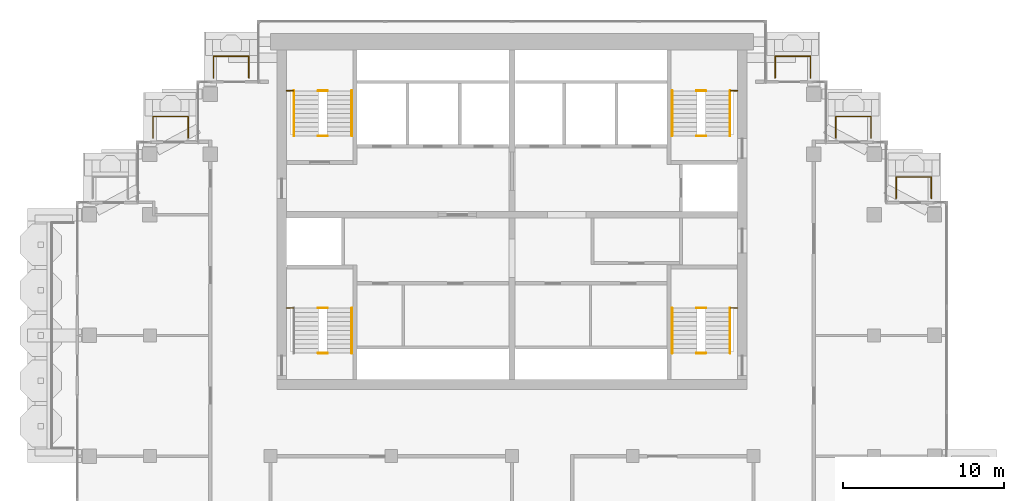
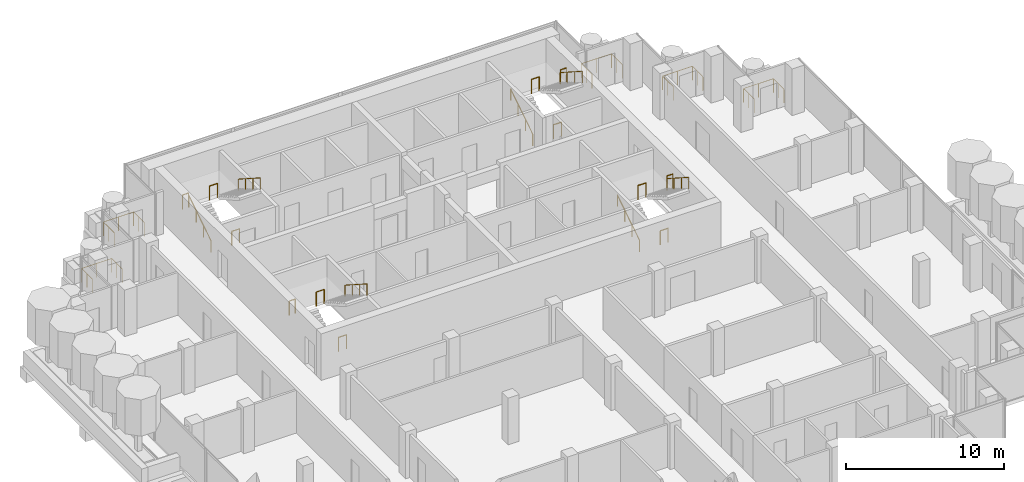
# One storey, part 17 of 18: 24 railings.
"""IFC4 building model written with IfcOpenShell, lengths in metres."""

from ifc_helpers import new_model, si_unit, direction, frame, origin, origin_2d, place, context, subcontext, project, spatial, circle, extrude, material, type_object, element, save


model = new_model("IFC4")

# Units and contexts
model_context = context("Model", 3, precision=1e-05, world=origin(), true_north=direction((0.0, 1.0)))
body_context = subcontext(model_context, "Body", "Model", "MODEL_VIEW")
ifc_project = project(units=[si_unit("LENGTHUNIT", "METRE"), si_unit("AREAUNIT", "SQUARE_METRE"), si_unit("VOLUMEUNIT", "CUBIC_METRE"), si_unit("PLANEANGLEUNIT", "RADIAN"), si_unit("MASSUNIT", "GRAM", prefix="KILO")], contexts=[model_context])

# Site, building, storey
site_placement = place(None, origin())
site = spatial("IfcSite", under=ifc_project, at=site_placement, CompositionType="ELEMENT")
building_placement = place(site_placement, origin())
building = spatial("IfcBuilding", under=site, at=building_placement, Name="Pilkhan Gate Tower", CompositionType="ELEMENT")
storey_placement = place(building_placement, frame((0.0, 0.0, 228.300048828125)))
storey = spatial("IfcBuildingStorey", under=building, at=storey_placement, Name="L59", CompositionType="ELEMENT", Elevation=228.300048828125)

# Railings
ifc_material_1 = material(Name="Pale anodised aluminium posts, laminated glass infill", Category="aluminium")
railing_type_1 = type_object("IfcRailingType", Name="Balcony guard G1", PredefinedType="BALUSTRADE", material=ifc_material_1)
for number, where, name in (
    (1, (56.449951171875, 91.0, 0.0), "Balcony guard L59 N"),
    (2, (91.35009765625, 91.0, 0.0), "Balcony guard L59 N"),
):
    element("IfcRailing", number, at=place(storey_placement, frame(where)), inside=storey, type_object=railing_type_1, Name=name, PredefinedType="BALUSTRADE", context=body_context, shape_type="SweptSolid", body=[
        extrude(circle(Radius=0.02392578125, at=origin_2d()), frame((0.0, 0.0, 1.076171875), z_axis=(0.0, 1.0, 0.0), x_axis=(-1.0, 0.0, 0.0)), (0.0, 0.0, 1.0), 1.35009765625),
        extrude(circle(Radius=0.02392578125, at=origin_2d()), frame((0.0, 1.35009765625, 1.076171875), z_axis=(1.0, 0.0, 0.0), x_axis=(0.0, 1.0, 0.0)), (0.0, 0.0, 1.0), 2.199951171875),
        extrude(circle(Radius=0.02392578125, at=origin_2d()), frame((2.199951171875, 1.35009765625, 1.076171875), z_axis=(0.0, -1.0, 0.0), x_axis=(1.0, 0.0, 0.0)), (0.0, 0.0, 1.0), 1.35009765625),
        extrude(circle(Radius=0.02099609375, at=origin_2d()), origin(), (0.0, 0.0, 1.0), 1.052001953125),
        extrude(circle(Radius=0.02099609375, at=origin_2d()), frame((0.0, 0.675048828125, 0.0)), (0.0, 0.0, 1.0), 1.052001953125),
        extrude(circle(Radius=0.02099609375, at=origin_2d()), frame((0.0, 1.35009765625, 0.0)), (0.0, 0.0, 1.0), 1.052001953125),
        extrude(circle(Radius=0.02099609375, at=origin_2d()), frame((1.10009765625, 1.35009765625, 0.0)), (0.0, 0.0, 1.0), 1.052001953125),
        extrude(circle(Radius=0.02099609375, at=origin_2d()), frame((2.199951171875, 1.35009765625, 0.0)), (0.0, 0.0, 1.0), 1.052001953125),
        extrude(circle(Radius=0.02099609375, at=origin_2d()), frame((2.199951171875, 0.675048828125, 0.0)), (0.0, 0.0, 1.0), 1.052001953125),
        extrude(circle(Radius=0.02099609375, at=origin_2d()), frame((2.199951171875, 0.0, 0.0)), (0.0, 0.0, 1.0), 1.052001953125),
    ])
for number, where, name in (
    (3, (52.699951171875, 87.27001953125, 0.0), "Balcony guard L59 N"),
    (4, (95.1201171875, 87.27001953125, 0.0), "Balcony guard L59 N"),
    (5, (98.8701171875, 83.52001953125, 0.0), "Balcony guard L59 N"),
):
    element("IfcRailing", number, at=place(storey_placement, frame(where)), inside=storey, type_object=railing_type_1, Name=name, PredefinedType="BALUSTRADE", context=body_context, shape_type="SweptSolid", body=[
        extrude(circle(Radius=0.02392578125, at=origin_2d()), frame((0.0, 0.0, 1.076171875), z_axis=(0.0, 1.0, 0.0), x_axis=(-1.0, 0.0, 0.0)), (0.0, 0.0, 1.0), 1.330078125),
        extrude(circle(Radius=0.02392578125, at=origin_2d()), frame((0.0, 1.330078125, 1.076171875), z_axis=(1.0, 0.0, 0.0), x_axis=(0.0, 1.0, 0.0)), (0.0, 0.0, 1.0), 2.179931640625),
        extrude(circle(Radius=0.02392578125, at=origin_2d()), frame((2.179931640625, 1.330078125, 1.076171875), z_axis=(0.0, -1.0, 0.0), x_axis=(1.0, 0.0, 0.0)), (0.0, 0.0, 1.0), 1.330078125),
        extrude(circle(Radius=0.02099609375, at=origin_2d()), origin(), (0.0, 0.0, 1.0), 1.052001953125),
        extrude(circle(Radius=0.02099609375, at=origin_2d()), frame((0.0, 0.6650390625, 0.0)), (0.0, 0.0, 1.0), 1.052001953125),
        extrude(circle(Radius=0.02099609375, at=origin_2d()), frame((0.0, 1.330078125, 0.0)), (0.0, 0.0, 1.0), 1.052001953125),
        extrude(circle(Radius=0.02099609375, at=origin_2d()), frame((1.08984375, 1.330078125, 0.0)), (0.0, 0.0, 1.0), 1.052001953125),
        extrude(circle(Radius=0.02099609375, at=origin_2d()), frame((2.179931640625, 1.330078125, 0.0)), (0.0, 0.0, 1.0), 1.052001953125),
        extrude(circle(Radius=0.02099609375, at=origin_2d()), frame((2.179931640625, 0.6650390625, 0.0)), (0.0, 0.0, 1.0), 1.052001953125),
        extrude(circle(Radius=0.02099609375, at=origin_2d()), frame((2.179931640625, 0.0, 0.0)), (0.0, 0.0, 1.0), 1.052001953125),
    ])
ifc_material_2 = material(Name="Black powder-coated steel tube", Category="steel")
railing_type_2 = type_object("IfcRailingType", Name="Stair handrail HR1", PredefinedType="HANDRAIL", material=ifc_material_2)
railing_1_placement = place(storey_placement, frame((84.949951171875, 73.89990234375, 0.0)))
element("IfcRailing", 6, at=railing_1_placement, inside=storey, type_object=railing_type_2, Name="Stair ST1 handrail L59", PredefinedType="HANDRAIL", context=body_context, shape_type="SweptSolid", body=[
    extrude(circle(Radius=0.02392578125, at=origin_2d()), frame((0.0, 0.0, 0.8759765625), z_axis=(0.0, 0.841176092368, 0.540761298198), x_axis=(-1.0, 0.0, 0.0)), (0.0, 0.0, 1.0), 3.32861328125),
    extrude(circle(Radius=0.02099609375, at=origin_2d()), origin(), (0.0, 0.0, 1.0), 0.851806640625),
    extrude(circle(Radius=0.02099609375, at=origin_2d()), frame((0.0, 0.933349609375, 0.60009765625)), (0.0, 0.0, 1.0), 0.851806640625),
    extrude(circle(Radius=0.02099609375, at=origin_2d()), frame((0.0, 1.86669921875, 1.199951171875)), (0.0, 0.0, 1.0), 0.851806640625),
    extrude(circle(Radius=0.02099609375, at=origin_2d()), frame((0.0, 2.800048828125, 1.800048828125)), (0.0, 0.0, 1.0), 0.851806640625),
])
for number, where, name in (
    (7, (88.550048828125, 76.699951171875, 1.800048828125), "Stair ST1 handrail L59"),
    (8, (65.050048828125, 76.699951171875, 1.800048828125), "Stair ST2 handrail L59"),
):
    element("IfcRailing", number, at=place(storey_placement, frame(where)), inside=storey, type_object=railing_type_2, Name=name, PredefinedType="HANDRAIL", context=body_context, shape_type="SweptSolid", body=[
        extrude(circle(Radius=0.02392578125, at=origin_2d()), frame((0.0, 0.0, 0.8759765625), z_axis=(0.0, -0.841209454229, 0.540709398952), x_axis=(1.0, 0.0, 0.0)), (0.0, 0.0, 1.0), 3.32861328125),
        extrude(circle(Radius=0.02099609375, at=origin_2d()), origin(), (0.0, 0.0, 1.0), 0.851806640625),
        extrude(circle(Radius=0.02099609375, at=origin_2d()), frame((0.0, -0.933349609375, 0.599853515625)), (0.0, 0.0, 1.0), 0.851806640625),
        extrude(circle(Radius=0.02099609375, at=origin_2d()), frame((0.0, -1.86669921875, 1.199951171875)), (0.0, 0.0, 1.0), 0.851806640625),
        extrude(circle(Radius=0.02099609375, at=origin_2d()), frame((0.0, -2.800048828125, 1.7998046875)), (0.0, 0.0, 1.0), 0.851806640625),
    ])
railing_2_placement = place(storey_placement, frame((61.449951171875, 87.39990234375, 0.0)))
element("IfcRailing", 9, at=railing_2_placement, inside=storey, type_object=railing_type_2, Name="Stair ST3 handrail L59", PredefinedType="HANDRAIL", context=body_context, shape_type="SweptSolid", body=[
    extrude(circle(Radius=0.02392578125, at=origin_2d()), frame((0.0, 0.0, 0.8759765625), z_axis=(0.0, 0.841176092368, 0.540761298198), x_axis=(-1.0, 0.0, 0.0)), (0.0, 0.0, 1.0), 3.32861328125),
    extrude(circle(Radius=0.02099609375, at=origin_2d()), origin(), (0.0, 0.0, 1.0), 0.851806640625),
    extrude(circle(Radius=0.02099609375, at=origin_2d()), frame((0.0, 0.933349609375, 0.60009765625)), (0.0, 0.0, 1.0), 0.851806640625),
    extrude(circle(Radius=0.02099609375, at=origin_2d()), frame((0.0, 1.86669921875, 1.199951171875)), (0.0, 0.0, 1.0), 0.851806640625),
    extrude(circle(Radius=0.02099609375, at=origin_2d()), frame((0.0, 2.800048828125, 1.800048828125)), (0.0, 0.0, 1.0), 0.851806640625),
])
railing_3_placement = place(storey_placement, frame((65.050048828125, 90.199951171875, 1.800048828125)))
element("IfcRailing", 10, at=railing_3_placement, inside=storey, type_object=railing_type_2, Name="Stair ST3 handrail L59", PredefinedType="HANDRAIL", context=body_context, shape_type="SweptSolid", body=[
    extrude(circle(Radius=0.02392578125, at=origin_2d()), frame((0.0, 0.0, 0.8759765625), z_axis=(0.0, -0.841209454229, 0.540709398952), x_axis=(1.0, 0.0, 0.0)), (0.0, 0.0, 1.0), 3.32861328125),
    extrude(circle(Radius=0.02099609375, at=origin_2d()), origin(), (0.0, 0.0, 1.0), 0.851806640625),
    extrude(circle(Radius=0.02099609375, at=origin_2d()), frame((0.0, -0.933349609375, 0.599853515625)), (0.0, 0.0, 1.0), 0.851806640625),
    extrude(circle(Radius=0.02099609375, at=origin_2d()), frame((0.0, -1.86669921875, 1.199951171875)), (0.0, 0.0, 1.0), 0.851806640625),
    extrude(circle(Radius=0.02099609375, at=origin_2d()), frame((0.0, -2.800048828125, 1.7998046875)), (0.0, 0.0, 1.0), 0.851806640625),
])
railing_4_placement = place(storey_placement, frame((84.949951171875, 87.39990234375, 0.0)))
element("IfcRailing", 11, at=railing_4_placement, inside=storey, type_object=railing_type_2, Name="Stair ST4 handrail L59", PredefinedType="HANDRAIL", context=body_context, shape_type="SweptSolid", body=[
    extrude(circle(Radius=0.02392578125, at=origin_2d()), frame((0.0, 0.0, 0.8759765625), z_axis=(0.0, 0.841176092368, 0.540761298198), x_axis=(-1.0, 0.0, 0.0)), (0.0, 0.0, 1.0), 3.32861328125),
    extrude(circle(Radius=0.02099609375, at=origin_2d()), origin(), (0.0, 0.0, 1.0), 0.851806640625),
    extrude(circle(Radius=0.02099609375, at=origin_2d()), frame((0.0, 0.933349609375, 0.60009765625)), (0.0, 0.0, 1.0), 0.851806640625),
    extrude(circle(Radius=0.02099609375, at=origin_2d()), frame((0.0, 1.86669921875, 1.199951171875)), (0.0, 0.0, 1.0), 0.851806640625),
    extrude(circle(Radius=0.02099609375, at=origin_2d()), frame((0.0, 2.800048828125, 1.800048828125)), (0.0, 0.0, 1.0), 0.851806640625),
])
railing_5_placement = place(storey_placement, frame((88.550048828125, 90.199951171875, 1.800048828125)))
element("IfcRailing", 12, at=railing_5_placement, inside=storey, type_object=railing_type_2, Name="Stair ST4 handrail L59", PredefinedType="HANDRAIL", context=body_context, shape_type="SweptSolid", body=[
    extrude(circle(Radius=0.02392578125, at=origin_2d()), frame((0.0, 0.0, 0.8759765625), z_axis=(0.0, -0.841209454229, 0.540709398952), x_axis=(1.0, 0.0, 0.0)), (0.0, 0.0, 1.0), 3.32861328125),
    extrude(circle(Radius=0.02099609375, at=origin_2d()), origin(), (0.0, 0.0, 1.0), 0.851806640625),
    extrude(circle(Radius=0.02099609375, at=origin_2d()), frame((0.0, -0.933349609375, 0.599853515625)), (0.0, 0.0, 1.0), 0.851806640625),
    extrude(circle(Radius=0.02099609375, at=origin_2d()), frame((0.0, -1.86669921875, 1.199951171875)), (0.0, 0.0, 1.0), 0.851806640625),
    extrude(circle(Radius=0.02099609375, at=origin_2d()), frame((0.0, -2.800048828125, 1.7998046875)), (0.0, 0.0, 1.0), 0.851806640625),
])
ifc_material_3 = material(Name="Black powder-coated steel balusters", Category="steel")
railing_type_3 = type_object("IfcRailingType", Name="Stair well guard G3", PredefinedType="GUARDRAIL", material=ifc_material_3)
railing_6_placement = place(storey_placement, frame((88.580078125, 76.699951171875, 1.800048828125)))
element("IfcRailing", 13, at=railing_6_placement, inside=storey, type_object=railing_type_3, Name="Stair ST1 well guard L59", PredefinedType="GUARDRAIL", context=body_context, shape_type="SweptSolid", body=[
    extrude(circle(Radius=0.02392578125, at=origin_2d()), frame((0.0, 0.0, 1.076171875), z_axis=(1.0, 0.0, 0.0), x_axis=(0.0, 1.0, 0.0)), (0.0, 0.0, 1.0), 0.43994140625),
    extrude(circle(Radius=0.02099609375, at=origin_2d()), origin(), (0.0, 0.0, 1.0), 1.052001953125),
    extrude(circle(Radius=0.02099609375, at=origin_2d()), frame((0.43994140625, 0.0, 0.0)), (0.0, 0.0, 1.0), 1.052001953125),
])
for number, where, name in (
    (14, (86.4599609375, 73.89990234375, 0.0), "Stair ST1 well guard L59"),
    (15, (86.4599609375, 76.699951171875, 1.800048828125), "Stair ST1 well guard L59"),
):
    element("IfcRailing", number, at=place(storey_placement, frame(where)), inside=storey, type_object=railing_type_3, Name=name, PredefinedType="GUARDRAIL", context=body_context, shape_type="SweptSolid", body=[
        extrude(circle(Radius=0.02392578125, at=origin_2d()), frame((0.0, 0.0, 1.076171875), z_axis=(1.0, 0.0, 0.0), x_axis=(0.0, 1.0, 0.0)), (0.0, 0.0, 1.0), 0.580078125),
        extrude(circle(Radius=0.02099609375, at=origin_2d()), origin(), (0.0, 0.0, 1.0), 1.052001953125),
        extrude(circle(Radius=0.02099609375, at=origin_2d()), frame((0.580078125, 0.0, 0.0)), (0.0, 0.0, 1.0), 1.052001953125),
    ])
railing_7_placement = place(storey_placement, frame((60.97998046875, 76.699951171875, 1.800048828125)))
element("IfcRailing", 16, at=railing_7_placement, inside=storey, type_object=railing_type_3, Name="Stair ST2 well guard L59", PredefinedType="GUARDRAIL", context=body_context, shape_type="SweptSolid", body=[
    extrude(circle(Radius=0.02392578125, at=origin_2d()), frame((0.0, 0.0, 1.076171875), z_axis=(1.0, 0.0, 0.0), x_axis=(0.0, 1.0, 0.0)), (0.0, 0.0, 1.0), 0.43994140625),
    extrude(circle(Radius=0.02099609375, at=origin_2d()), origin(), (0.0, 0.0, 1.0), 1.052001953125),
    extrude(circle(Radius=0.02099609375, at=origin_2d()), frame((0.43994140625, 0.0, 0.0)), (0.0, 0.0, 1.0), 1.052001953125),
])
for number, where, name in (
    (17, (62.9599609375, 73.89990234375, 0.0), "Stair ST2 well guard L59"),
    (18, (62.9599609375, 76.699951171875, 1.800048828125), "Stair ST2 well guard L59"),
):
    element("IfcRailing", number, at=place(storey_placement, frame(where)), inside=storey, type_object=railing_type_3, Name=name, PredefinedType="GUARDRAIL", context=body_context, shape_type="SweptSolid", body=[
        extrude(circle(Radius=0.02392578125, at=origin_2d()), frame((0.0, 0.0, 1.076171875), z_axis=(1.0, 0.0, 0.0), x_axis=(0.0, 1.0, 0.0)), (0.0, 0.0, 1.0), 0.580078125),
        extrude(circle(Radius=0.02099609375, at=origin_2d()), origin(), (0.0, 0.0, 1.0), 1.052001953125),
        extrude(circle(Radius=0.02099609375, at=origin_2d()), frame((0.580078125, 0.0, 0.0)), (0.0, 0.0, 1.0), 1.052001953125),
    ])
railing_8_placement = place(storey_placement, frame((60.97998046875, 90.199951171875, 1.800048828125)))
element("IfcRailing", 19, at=railing_8_placement, inside=storey, type_object=railing_type_3, Name="Stair ST3 well guard L59", PredefinedType="GUARDRAIL", context=body_context, shape_type="SweptSolid", body=[
    extrude(circle(Radius=0.02392578125, at=origin_2d()), frame((0.0, 0.0, 1.076171875), z_axis=(1.0, 0.0, 0.0), x_axis=(0.0, 1.0, 0.0)), (0.0, 0.0, 1.0), 0.43994140625),
    extrude(circle(Radius=0.02099609375, at=origin_2d()), origin(), (0.0, 0.0, 1.0), 1.052001953125),
    extrude(circle(Radius=0.02099609375, at=origin_2d()), frame((0.43994140625, 0.0, 0.0)), (0.0, 0.0, 1.0), 1.052001953125),
])
for number, where, name in (
    (20, (62.9599609375, 87.39990234375, 0.0), "Stair ST3 well guard L59"),
    (21, (62.9599609375, 90.199951171875, 1.800048828125), "Stair ST3 well guard L59"),
):
    element("IfcRailing", number, at=place(storey_placement, frame(where)), inside=storey, type_object=railing_type_3, Name=name, PredefinedType="GUARDRAIL", context=body_context, shape_type="SweptSolid", body=[
        extrude(circle(Radius=0.02392578125, at=origin_2d()), frame((0.0, 0.0, 1.076171875), z_axis=(1.0, 0.0, 0.0), x_axis=(0.0, 1.0, 0.0)), (0.0, 0.0, 1.0), 0.580078125),
        extrude(circle(Radius=0.02099609375, at=origin_2d()), origin(), (0.0, 0.0, 1.0), 1.052001953125),
        extrude(circle(Radius=0.02099609375, at=origin_2d()), frame((0.580078125, 0.0, 0.0)), (0.0, 0.0, 1.0), 1.052001953125),
    ])
railing_9_placement = place(storey_placement, frame((88.580078125, 90.199951171875, 1.800048828125)))
element("IfcRailing", 22, at=railing_9_placement, inside=storey, type_object=railing_type_3, Name="Stair ST4 well guard L59", PredefinedType="GUARDRAIL", context=body_context, shape_type="SweptSolid", body=[
    extrude(circle(Radius=0.02392578125, at=origin_2d()), frame((0.0, 0.0, 1.076171875), z_axis=(1.0, 0.0, 0.0), x_axis=(0.0, 1.0, 0.0)), (0.0, 0.0, 1.0), 0.43994140625),
    extrude(circle(Radius=0.02099609375, at=origin_2d()), origin(), (0.0, 0.0, 1.0), 1.052001953125),
    extrude(circle(Radius=0.02099609375, at=origin_2d()), frame((0.43994140625, 0.0, 0.0)), (0.0, 0.0, 1.0), 1.052001953125),
])
for number, where, name in (
    (23, (86.4599609375, 87.39990234375, 0.0), "Stair ST4 well guard L59"),
    (24, (86.4599609375, 90.199951171875, 1.800048828125), "Stair ST4 well guard L59"),
):
    element("IfcRailing", number, at=place(storey_placement, frame(where)), inside=storey, type_object=railing_type_3, Name=name, PredefinedType="GUARDRAIL", context=body_context, shape_type="SweptSolid", body=[
        extrude(circle(Radius=0.02392578125, at=origin_2d()), frame((0.0, 0.0, 1.076171875), z_axis=(1.0, 0.0, 0.0), x_axis=(0.0, 1.0, 0.0)), (0.0, 0.0, 1.0), 0.580078125),
        extrude(circle(Radius=0.02099609375, at=origin_2d()), origin(), (0.0, 0.0, 1.0), 1.052001953125),
        extrude(circle(Radius=0.02099609375, at=origin_2d()), frame((0.580078125, 0.0, 0.0)), (0.0, 0.0, 1.0), 1.052001953125),
    ])

save(model, "model.ifc")
